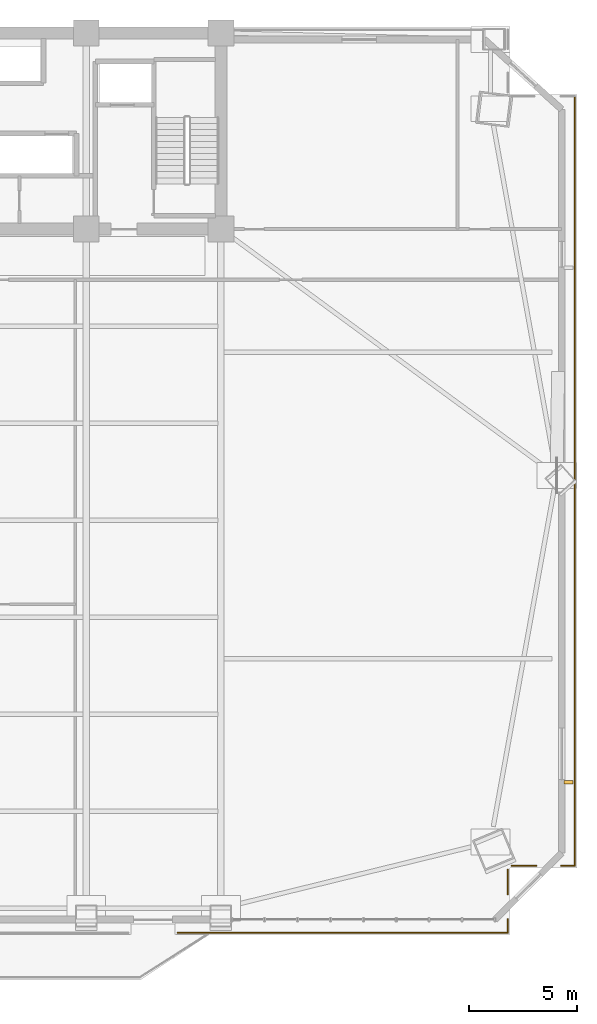
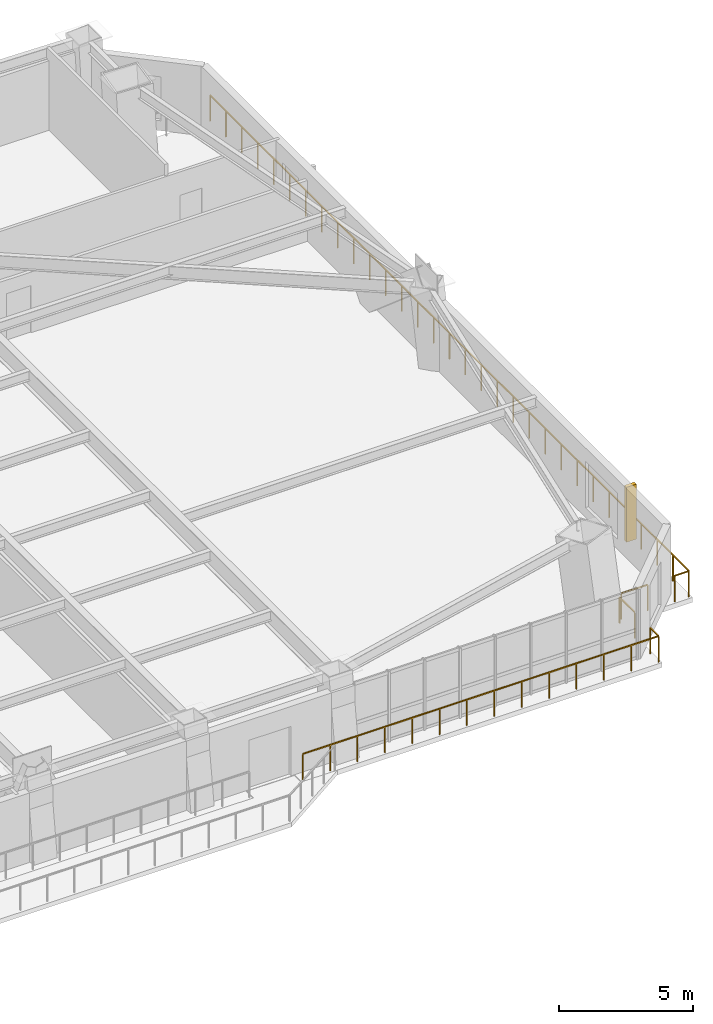
# One storey, part 13 of 16: 6 railings, 1 shading device.
"""IFC4 building model written with IfcOpenShell, lengths in metres."""

from ifc_helpers import new_model, si_unit, direction, frame, origin, origin_2d, place, context, subcontext, project, spatial, rectangle, extrude, source, transform, mapped, material, type_object, element, save


model = new_model("IFC4")

# Units and contexts
model_context = context("Model", 3, precision=1e-05, world=origin(), true_north=direction((0.0, 1.0)))
body_context = subcontext(model_context, "Body", "Model", "MODEL_VIEW")
ifc_project = project(units=[si_unit("LENGTHUNIT", "METRE"), si_unit("AREAUNIT", "SQUARE_METRE"), si_unit("VOLUMEUNIT", "CUBIC_METRE"), si_unit("PLANEANGLEUNIT", "RADIAN"), si_unit("MASSUNIT", "GRAM", prefix="KILO")], contexts=[model_context])

# Site, building, storey
site_placement = place(None, origin())
site = spatial("IfcSite", under=ifc_project, at=site_placement, CompositionType="ELEMENT")
building_placement = place(site_placement, origin())
building = spatial("IfcBuilding", under=site, at=building_placement, Name="Giltprow Tower", CompositionType="ELEMENT")
storey_placement = place(building_placement, frame((0.0, 0.0, 83.5)))
storey = spatial("IfcBuildingStorey", under=building, at=storey_placement, Name="L20", CompositionType="ELEMENT", Elevation=83.5)

# Railings
ifc_material = material(Name="Anodized bronze", Category="metal")
railing_type = type_object("IfcRailingType", Name="RAIL-BALC-GUARD-1200", PredefinedType="BALUSTRADE", material=ifc_material)
railing_1_placement = place(storey_placement, frame((66.9609375, 43.60400390625, 0.0)))
element("IfcRailing", 1, at=railing_1_placement, inside=storey, type_object=railing_type, Name="L20 Corner Apron Edge Balustrade 16", PredefinedType="BALUSTRADE", context=body_context, shape_type="SweptSolid", body=[
    extrude(rectangle(XDim=0.048095703125, YDim=0.048095703125, at=origin_2d()), frame((0.0, 0.0, 1.17578125), z_axis=(0.0, -1.0, 0.0), x_axis=(1.0, 0.0, 0.0)), (0.0, 0.0, 1.0), 35.698974609375),
    extrude(rectangle(XDim=0.0419921875, YDim=0.0419921875, at=origin_2d()), origin(), (0.0, 0.0, 1.0), 1.15185546875),
    extrude(rectangle(XDim=0.0419921875, YDim=0.0419921875, at=origin_2d()), frame((0.0, -1.18994140625, 0.0)), (0.0, 0.0, 1.0), 1.15185546875),
    extrude(rectangle(XDim=0.0419921875, YDim=0.0419921875, at=origin_2d()), frame((0.0, -2.3798828125, 0.0)), (0.0, 0.0, 1.0), 1.15185546875),
    extrude(rectangle(XDim=0.0419921875, YDim=0.0419921875, at=origin_2d()), frame((0.0, -3.56982421875, 0.0)), (0.0, 0.0, 1.0), 1.15185546875),
    extrude(rectangle(XDim=0.0419921875, YDim=0.0419921875, at=origin_2d()), frame((0.0, -4.759765625, 0.0)), (0.0, 0.0, 1.0), 1.15185546875),
    extrude(rectangle(XDim=0.0419921875, YDim=0.0419921875, at=origin_2d()), frame((0.0, -5.94970703125, 0.0)), (0.0, 0.0, 1.0), 1.15185546875),
    extrude(rectangle(XDim=0.0419921875, YDim=0.0419921875, at=origin_2d()), frame((0.0, -7.139892578125, 0.0)), (0.0, 0.0, 1.0), 1.15185546875),
    extrude(rectangle(XDim=0.0419921875, YDim=0.0419921875, at=origin_2d()), frame((0.0, -8.329833984375, 0.0)), (0.0, 0.0, 1.0), 1.15185546875),
    extrude(rectangle(XDim=0.0419921875, YDim=0.0419921875, at=origin_2d()), frame((0.0, -9.519775390625, 0.0)), (0.0, 0.0, 1.0), 1.15185546875),
    extrude(rectangle(XDim=0.0419921875, YDim=0.0419921875, at=origin_2d()), frame((0.0, -10.709716796875, 0.0)), (0.0, 0.0, 1.0), 1.15185546875),
    extrude(rectangle(XDim=0.0419921875, YDim=0.0419921875, at=origin_2d()), frame((0.0, -11.899658203125, 0.0)), (0.0, 0.0, 1.0), 1.15185546875),
    extrude(rectangle(XDim=0.0419921875, YDim=0.0419921875, at=origin_2d()), frame((0.0, -13.089599609375, 0.0)), (0.0, 0.0, 1.0), 1.15185546875),
    extrude(rectangle(XDim=0.0419921875, YDim=0.0419921875, at=origin_2d()), frame((0.0, -14.279541015625, 0.0)), (0.0, 0.0, 1.0), 1.15185546875),
    extrude(rectangle(XDim=0.0419921875, YDim=0.0419921875, at=origin_2d()), frame((0.0, -15.469482421875, 0.0)), (0.0, 0.0, 1.0), 1.15185546875),
    extrude(rectangle(XDim=0.0419921875, YDim=0.0419921875, at=origin_2d()), frame((0.0, -16.659423828125, 0.0)), (0.0, 0.0, 1.0), 1.15185546875),
    extrude(rectangle(XDim=0.0419921875, YDim=0.0419921875, at=origin_2d()), frame((0.0, -17.849609375, 0.0)), (0.0, 0.0, 1.0), 1.15185546875),
    extrude(rectangle(XDim=0.0419921875, YDim=0.0419921875, at=origin_2d()), frame((0.0, -19.03955078125, 0.0)), (0.0, 0.0, 1.0), 1.15185546875),
    extrude(rectangle(XDim=0.0419921875, YDim=0.0419921875, at=origin_2d()), frame((0.0, -20.2294921875, 0.0)), (0.0, 0.0, 1.0), 1.15185546875),
    extrude(rectangle(XDim=0.0419921875, YDim=0.0419921875, at=origin_2d()), frame((0.0, -21.41943359375, 0.0)), (0.0, 0.0, 1.0), 1.15185546875),
    extrude(rectangle(XDim=0.0419921875, YDim=0.0419921875, at=origin_2d()), frame((0.0, -22.609375, 0.0)), (0.0, 0.0, 1.0), 1.15185546875),
    extrude(rectangle(XDim=0.0419921875, YDim=0.0419921875, at=origin_2d()), frame((0.0, -23.79931640625, 0.0)), (0.0, 0.0, 1.0), 1.15185546875),
    extrude(rectangle(XDim=0.0419921875, YDim=0.0419921875, at=origin_2d()), frame((0.0, -24.9892578125, 0.0)), (0.0, 0.0, 1.0), 1.15185546875),
    extrude(rectangle(XDim=0.0419921875, YDim=0.0419921875, at=origin_2d()), frame((0.0, -26.17919921875, 0.0)), (0.0, 0.0, 1.0), 1.15185546875),
    extrude(rectangle(XDim=0.0419921875, YDim=0.0419921875, at=origin_2d()), frame((0.0, -27.369140625, 0.0)), (0.0, 0.0, 1.0), 1.15185546875),
    extrude(rectangle(XDim=0.0419921875, YDim=0.0419921875, at=origin_2d()), frame((0.0, -28.55908203125, 0.0)), (0.0, 0.0, 1.0), 1.15185546875),
    extrude(rectangle(XDim=0.0419921875, YDim=0.0419921875, at=origin_2d()), frame((0.0, -29.7490234375, 0.0)), (0.0, 0.0, 1.0), 1.15185546875),
    extrude(rectangle(XDim=0.0419921875, YDim=0.0419921875, at=origin_2d()), frame((0.0, -30.939208984375, 0.0)), (0.0, 0.0, 1.0), 1.15185546875),
    extrude(rectangle(XDim=0.0419921875, YDim=0.0419921875, at=origin_2d()), frame((0.0, -32.129150390625, 0.0)), (0.0, 0.0, 1.0), 1.15185546875),
    extrude(rectangle(XDim=0.0419921875, YDim=0.0419921875, at=origin_2d()), frame((0.0, -33.319091796875, 0.0)), (0.0, 0.0, 1.0), 1.15185546875),
    extrude(rectangle(XDim=0.0419921875, YDim=0.0419921875, at=origin_2d()), frame((0.0, -34.509033203125, 0.0)), (0.0, 0.0, 1.0), 1.15185546875),
    extrude(rectangle(XDim=0.0419921875, YDim=0.0419921875, at=origin_2d()), frame((0.0, -35.698974609375, 0.0)), (0.0, 0.0, 1.0), 1.15185546875),
])
railing_2_placement = place(storey_placement, frame((66.9609375, 7.905029296875, 0.0)))
element("IfcRailing", 2, at=railing_2_placement, inside=storey, type_object=railing_type, Name="L20 Corner Apron Edge Balustrade 17", PredefinedType="BALUSTRADE", context=body_context, shape_type="SweptSolid", body=[
    extrude(rectangle(XDim=0.048095703125, YDim=0.048095703125, at=origin_2d()), frame((0.0, 0.0, 1.17578125), z_axis=(-1.0, 0.0, 0.0), x_axis=(0.0, -1.0, 0.0)), (0.0, 0.0, 1.0), 0.619873046875),
    extrude(rectangle(XDim=0.0419921875, YDim=0.0419921875, at=origin_2d()), origin(), (0.0, 0.0, 1.0), 1.15185546875),
    extrude(rectangle(XDim=0.0419921875, YDim=0.0419921875, at=origin_2d()), frame((-0.619873046875, 0.0, 0.0)), (0.0, 0.0, 1.0), 1.15185546875),
])
railing_3_placement = place(storey_placement, frame((65.180908203125, 7.905029296875, 0.0)))
element("IfcRailing", 3, at=railing_3_placement, inside=storey, type_object=railing_type, Name="L20 Corner Apron Edge Balustrade 18", PredefinedType="BALUSTRADE", context=body_context, shape_type="SweptSolid", body=[
    extrude(rectangle(XDim=0.048095703125, YDim=0.048095703125, at=origin_2d()), frame((0.0, 0.0, 1.17578125), z_axis=(-1.0, 0.0, 0.0), x_axis=(0.0, -1.0, 0.0)), (0.0, 0.0, 1.0), 1.130859375),
    extrude(rectangle(XDim=0.0419921875, YDim=0.0419921875, at=origin_2d()), origin(), (0.0, 0.0, 1.0), 1.15185546875),
    extrude(rectangle(XDim=0.0419921875, YDim=0.0419921875, at=origin_2d()), frame((-1.130859375, 0.0, 0.0)), (0.0, 0.0, 1.0), 1.15185546875),
])
railing_4_placement = place(storey_placement, frame((63.864990234375, 7.719970703125, 0.0)))
element("IfcRailing", 4, at=railing_4_placement, inside=storey, type_object=railing_type, Name="L20 Corner Apron Edge Balustrade 19", PredefinedType="BALUSTRADE", context=body_context, shape_type="SweptSolid", body=[
    extrude(rectangle(XDim=0.048095703125, YDim=0.048095703125, at=origin_2d()), frame((0.0, 0.0, 1.17578125), z_axis=(0.0, -1.0, 0.0), x_axis=(1.0, 0.0, 0.0)), (0.0, 0.0, 1.0), 1.130859375),
    extrude(rectangle(XDim=0.0419921875, YDim=0.0419921875, at=origin_2d()), origin(), (0.0, 0.0, 1.0), 1.15185546875),
    extrude(rectangle(XDim=0.0419921875, YDim=0.0419921875, at=origin_2d()), frame((0.0, -1.130859375, 0.0)), (0.0, 0.0, 1.0), 1.15185546875),
])
railing_5_placement = place(storey_placement, frame((63.864990234375, 5.428955078125, 0.0)))
element("IfcRailing", 5, at=railing_5_placement, inside=storey, type_object=railing_type, Name="L20 Corner Apron Edge Balustrade 20", PredefinedType="BALUSTRADE", context=body_context, shape_type="SweptSolid", body=[
    extrude(rectangle(XDim=0.048095703125, YDim=0.048095703125, at=origin_2d()), frame((0.0, 0.0, 1.17578125), z_axis=(0.0, -1.0, 0.0), x_axis=(1.0, 0.0, 0.0)), (0.0, 0.0, 1.0), 0.619873046875),
    extrude(rectangle(XDim=0.0419921875, YDim=0.0419921875, at=origin_2d()), origin(), (0.0, 0.0, 1.0), 1.15185546875),
    extrude(rectangle(XDim=0.0419921875, YDim=0.0419921875, at=origin_2d()), frame((0.0, -0.619873046875, 0.0)), (0.0, 0.0, 1.0), 1.15185546875),
])
railing_6_placement = place(storey_placement, frame((63.864990234375, 4.80908203125, 0.0)))
element("IfcRailing", 6, at=railing_6_placement, inside=storey, type_object=railing_type, Name="L20 Corner Apron Edge Balustrade 21", PredefinedType="BALUSTRADE", context=body_context, shape_type="SweptSolid", body=[
    extrude(rectangle(XDim=0.048095703125, YDim=0.048095703125, at=origin_2d()), frame((0.0, 0.0, 1.17578125), z_axis=(-1.0, 0.0, 0.0), x_axis=(0.0, -1.0, 0.0)), (0.0, 0.0, 1.0), 15.31494140625),
    extrude(rectangle(XDim=0.0419921875, YDim=0.0419921875, at=origin_2d()), origin(), (0.0, 0.0, 1.0), 1.15185546875),
    extrude(rectangle(XDim=0.0419921875, YDim=0.0419921875, at=origin_2d()), frame((-1.177978515625, 0.0, 0.0)), (0.0, 0.0, 1.0), 1.15185546875),
    extrude(rectangle(XDim=0.0419921875, YDim=0.0419921875, at=origin_2d()), frame((-2.356201171875, 0.0, 0.0)), (0.0, 0.0, 1.0), 1.15185546875),
    extrude(rectangle(XDim=0.0419921875, YDim=0.0419921875, at=origin_2d()), frame((-3.5341796875, 0.0, 0.0)), (0.0, 0.0, 1.0), 1.15185546875),
    extrude(rectangle(XDim=0.0419921875, YDim=0.0419921875, at=origin_2d()), frame((-4.71240234375, 0.0, 0.0)), (0.0, 0.0, 1.0), 1.15185546875),
    extrude(rectangle(XDim=0.0419921875, YDim=0.0419921875, at=origin_2d()), frame((-5.890380859375, 0.0, 0.0)), (0.0, 0.0, 1.0), 1.15185546875),
    extrude(rectangle(XDim=0.0419921875, YDim=0.0419921875, at=origin_2d()), frame((-7.068359375, 0.0, 0.0)), (0.0, 0.0, 1.0), 1.15185546875),
    extrude(rectangle(XDim=0.0419921875, YDim=0.0419921875, at=origin_2d()), frame((-8.24658203125, 0.0, 0.0)), (0.0, 0.0, 1.0), 1.15185546875),
    extrude(rectangle(XDim=0.0419921875, YDim=0.0419921875, at=origin_2d()), frame((-9.424560546875, 0.0, 0.0)), (0.0, 0.0, 1.0), 1.15185546875),
    extrude(rectangle(XDim=0.0419921875, YDim=0.0419921875, at=origin_2d()), frame((-10.6025390625, 0.0, 0.0)), (0.0, 0.0, 1.0), 1.15185546875),
    extrude(rectangle(XDim=0.0419921875, YDim=0.0419921875, at=origin_2d()), frame((-11.78076171875, 0.0, 0.0)), (0.0, 0.0, 1.0), 1.15185546875),
    extrude(rectangle(XDim=0.0419921875, YDim=0.0419921875, at=origin_2d()), frame((-12.958740234375, 0.0, 0.0)), (0.0, 0.0, 1.0), 1.15185546875),
    extrude(rectangle(XDim=0.0419921875, YDim=0.0419921875, at=origin_2d()), frame((-14.136962890625, 0.0, 0.0)), (0.0, 0.0, 1.0), 1.15185546875),
    extrude(rectangle(XDim=0.0419921875, YDim=0.0419921875, at=origin_2d()), frame((-15.31494140625, 0.0, 0.0)), (0.0, 0.0, 1.0), 1.15185546875),
])

# Shading device
shading_device_type = type_object("IfcShadingDeviceType", Name="SHD-FIN-420", PredefinedType="USERDEFINED", material=ifc_material)
shared_shape = source(origin(), body_context, "Body", "SweptSolid", [
    extrude(rectangle(XDim=0.419921875, YDim=0.159912109375, at=origin_2d()), origin(), (0.0, 0.0, 1.0), 2.5),
])
shading_device_placement = place(storey_placement, frame((66.680908203125, 11.780029296875, 0.35009765625), z_axis=(0.0, 0.0, 1.0), x_axis=(1.0, 0.0, 0.0)))
element("IfcShadingDevice", 7, at=shading_device_placement, inside=storey, type_object=shading_device_type, Name="L20 E Bronze Vertical Fin 1-1", ObjectType="FIN", PredefinedType="USERDEFINED", context=body_context, shape_type="MappedRepresentation", body=[
    mapped(shared_shape, transform((0.0, 0.0, 0.0), x_axis=(1.0, 0.0, 0.0), y_axis=(0.0, 1.0, 0.0), z_axis=(0.0, 0.0, 1.0), scale=1.0)),
])

save(model, "model.ifc")
